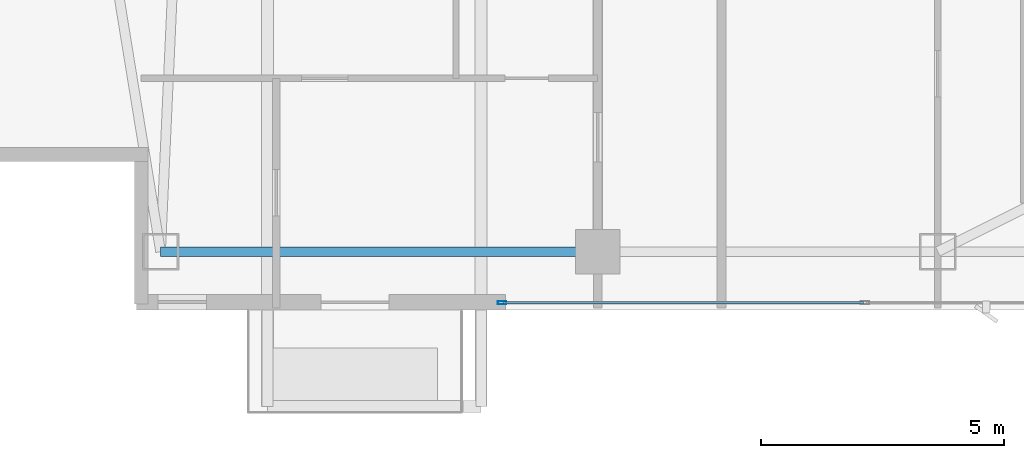
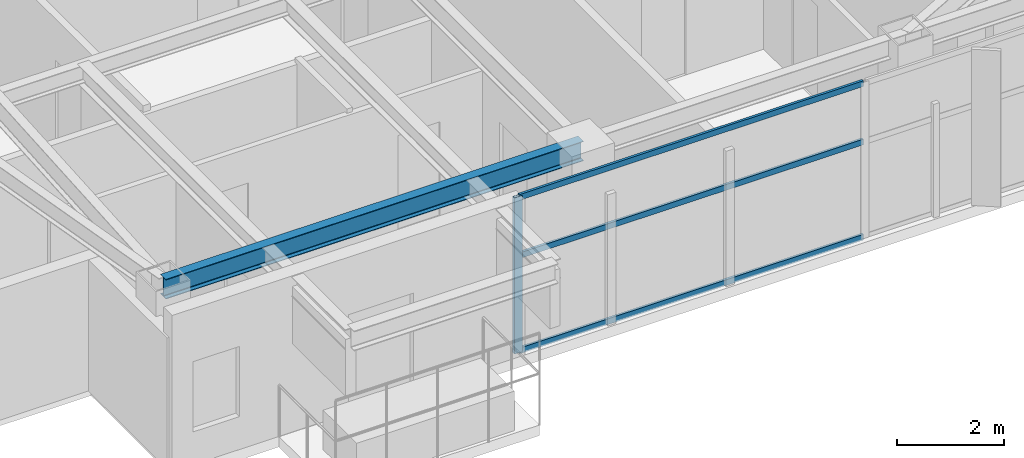
# One storey, part 3 of 28: 4 members, 1 beam, 1 element without a shape of its own.
"""IFC4 building model written with IfcOpenShell, lengths in metres."""

from ifc_helpers import new_model, si_unit, direction, frame, origin, origin_2d, place, context, subcontext, project, spatial, hollow_rectangle, i_section, extrude, material, layer, layer_set, material_profile, profile_set, type_object, element, aggregate, save


model = new_model("IFC4")

# Units and contexts
model_context = context("Model", 3, precision=1e-05, world=origin(), true_north=direction((0.0, 1.0)))
body_context = subcontext(model_context, "Body", "Model", "MODEL_VIEW")
ifc_project = project(units=[si_unit("LENGTHUNIT", "METRE"), si_unit("AREAUNIT", "SQUARE_METRE"), si_unit("VOLUMEUNIT", "CUBIC_METRE"), si_unit("PLANEANGLEUNIT", "RADIAN"), si_unit("MASSUNIT", "GRAM", prefix="KILO")], contexts=[model_context])

# Site, building, storey
site_placement = place(None, origin())
site = spatial("IfcSite", under=ifc_project, at=site_placement, CompositionType="ELEMENT")
building_placement = place(site_placement, origin())
building = spatial("IfcBuilding", under=site, at=building_placement, Name="Calvorn Quay Hotel", CompositionType="ELEMENT")
storey_placement = place(building_placement, frame((0.0, 0.0, 267.300048828125)))
storey = spatial("IfcBuildingStorey", under=building, at=storey_placement, Name="L66", CompositionType="ELEMENT", Elevation=267.300048828125)

# Beam
ifc_material_1 = material(Name="Steel Q355B", Category="steel")
ifc_material_profile_1 = material_profile(ifc_material_1, i_section(OverallWidth=0.199951171875, OverallDepth=0.449951171875, WebThickness=0.009033203125, FlangeThickness=0.013916015625, FilletRadius=0.01611328125, at=origin_2d()), Name="HN450x200x9x14")
ifc_profile_set_1 = profile_set([ifc_material_profile_1], Name="Steel Q355B")
beam_type = type_object("IfcBeamType", Name="BM-SPANDREL-Z3", PredefinedType="SPANDREL", material=ifc_profile_set_1)
beam_placement = place(storey_placement, frame((3.60009765625, 3.60009765625, 3.31494140625), z_axis=(1.0, 0.0, 0.0), x_axis=(0.0, 1.0, 0.0)))
element("IfcBeam", 1, at=beam_placement, inside=storey, type_object=beam_type, Name="Beam BSP-L66-S1", PredefinedType="SPANDREL", context=body_context, shape_type="SweptSolid", body=[
    extrude(i_section(OverallWidth=0.199951171875, OverallDepth=0.449951171875, WebThickness=0.009033203125, FlangeThickness=0.013916015625, FilletRadius=0.01611328125, at=origin_2d()), origin(), (0.0, 0.0, 1.0), 9.0),
])

# Curtain wall, members
ifc_material_2 = material(Name="Champagne Bronze Anodised Aluminium and Low-E Glass", Category="aluminium")
ifc_layer = layer(ifc_material_2, 0.219970703125)
ifc_layer_set = layer_set([ifc_layer], Name="CW-SYS-Z4")
curtain_wall_type = type_object("IfcCurtainWallType", Name="CW-SYS-Z4", PredefinedType="NOTDEFINED", material=ifc_layer_set)
curtain_wall_placement = place(storey_placement, origin())
curtain_wall = element("IfcCurtainWall", 2, at=curtain_wall_placement, inside=storey, type_object=curtain_wall_type, Name="Tower South Waterfront Curtain Wall (L66)", PredefinedType="NOTDEFINED")
ifc_material_3 = material(Name="Champagne Bronze Anodised Aluminium 6063-T6", Category="aluminium")
ifc_material_profile_2 = material_profile(ifc_material_3, hollow_rectangle(XDim=0.06494140625, YDim=0.169921875, WallThickness=0.00341796875, at=origin_2d()), Name="ALU-M170x65x3.5")
ifc_profile_set_2 = profile_set([ifc_material_profile_2], Name="Champagne Bronze Anodised Aluminium 6063-T6")
member_type_1 = type_object("IfcMemberType", Name="CW-SYS-Z4-MUL", PredefinedType="MULLION", material=ifc_profile_set_2)
member_1_placement = place(storey_placement, frame((10.6298828125, 2.550048828125, 0.0), z_axis=(0.0, 0.0, 1.0), x_axis=(0.0, 1.0, 0.0)))
member_1 = element("IfcMember", 3, at=member_1_placement, type_object=member_type_1, Name="CW-L66-S mullion 1", PredefinedType="MULLION", context=body_context, shape_type="SweptSolid", body=[
    extrude(hollow_rectangle(XDim=0.06494140625, YDim=0.169921875, WallThickness=0.00341796875, at=origin_2d()), origin(), (0.0, 0.0, 1.0), 3.56005859375),
])
ifc_material_4 = material(Name="Champagne Bronze Anodised Aluminium 6063-T6", Category="aluminium")
ifc_material_profile_3 = material_profile(ifc_material_4, hollow_rectangle(XDim=0.054931640625, YDim=0.1298828125, WallThickness=0.003173828125, at=origin_2d()), Name="ALU-T130x55x3.2")
ifc_profile_set_3 = profile_set([ifc_material_profile_3], Name="Champagne Bronze Anodised Aluminium 6063-T6")
member_type_2 = type_object("IfcMemberType", Name="CW-SYS-Z4-TRN", PredefinedType="USERDEFINED", material=ifc_profile_set_3)
member_2_placement = place(storey_placement, frame((10.659912109375, 2.550048828125, 0.030029296875), z_axis=(1.0, 0.0, 0.0), x_axis=(0.0, 1.0, 0.0)))
member_2 = element("IfcMember", 4, at=member_2_placement, type_object=member_type_2, Name="CW-L66-S transom 1.1", ObjectType="TRANSOM", PredefinedType="USERDEFINED", context=body_context, shape_type="SweptSolid", body=[
    extrude(hollow_rectangle(XDim=0.054931640625, YDim=0.1298828125, WallThickness=0.003173828125, at=origin_2d()), origin(), (0.0, 0.0, 1.0), 7.41015625),
])
member_3_placement = place(storey_placement, frame((10.659912109375, 2.550048828125, 2.199951171875), z_axis=(1.0, 0.0, 0.0), x_axis=(0.0, 1.0, 0.0)))
member_3 = element("IfcMember", 5, at=member_3_placement, type_object=member_type_2, Name="CW-L66-S transom 1.2", ObjectType="TRANSOM", PredefinedType="USERDEFINED", context=body_context, shape_type="SweptSolid", body=[
    extrude(hollow_rectangle(XDim=0.054931640625, YDim=0.1298828125, WallThickness=0.003173828125, at=origin_2d()), origin(), (0.0, 0.0, 1.0), 7.41015625),
])
member_4_placement = place(storey_placement, frame((10.659912109375, 2.550048828125, 3.530029296875), z_axis=(1.0, 0.0, 0.0), x_axis=(0.0, 1.0, 0.0)))
member_4 = element("IfcMember", 6, at=member_4_placement, type_object=member_type_2, Name="CW-L66-S transom 1.3", ObjectType="TRANSOM", PredefinedType="USERDEFINED", context=body_context, shape_type="SweptSolid", body=[
    extrude(hollow_rectangle(XDim=0.054931640625, YDim=0.1298828125, WallThickness=0.003173828125, at=origin_2d()), origin(), (0.0, 0.0, 1.0), 7.41015625),
])
aggregate(curtain_wall, [member_1, member_2, member_3, member_4])

save(model, "model.ifc")
